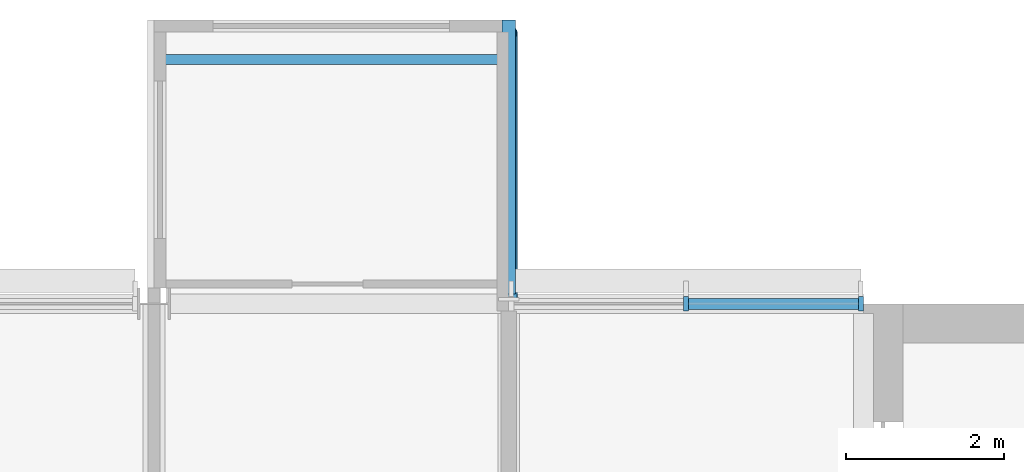
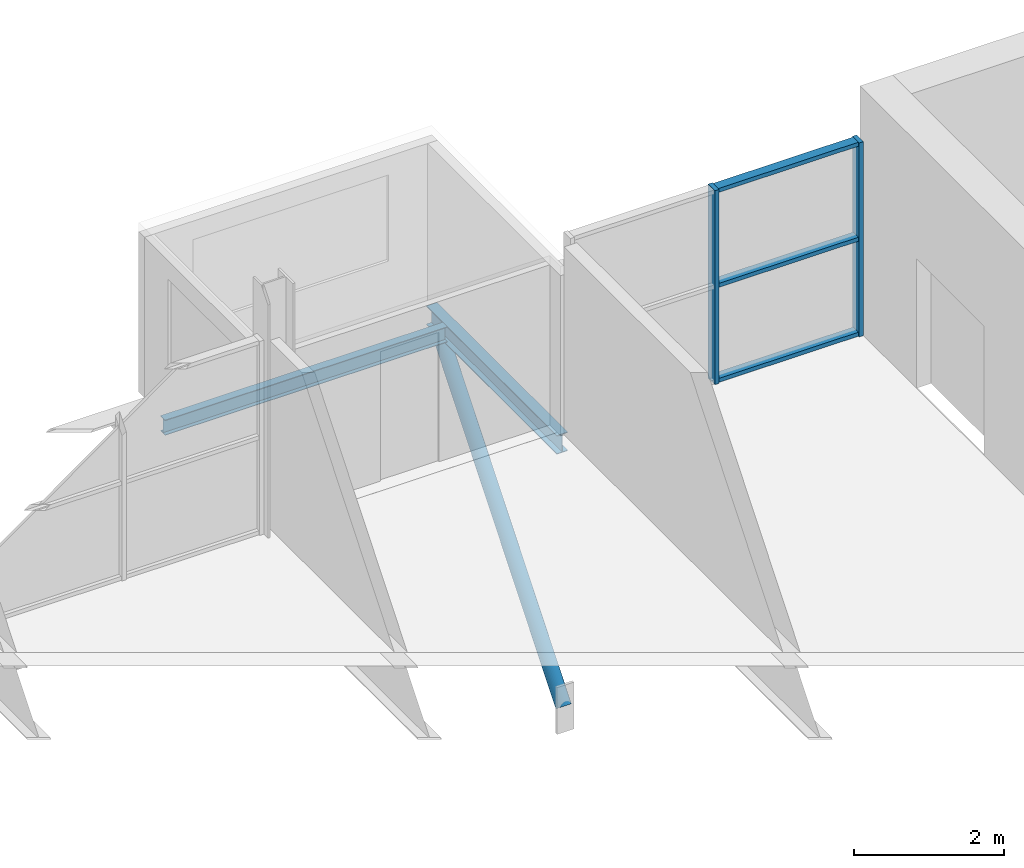
# One storey, part 3 of 12: 6 members, 2 beams, 1 element without a shape of its own.
"""IFC4 building model written with IfcOpenShell, lengths in metres."""

from ifc_helpers import new_model, si_unit, direction, frame, origin, origin_2d, place, context, subcontext, project, spatial, rectangle, hollow_circle, i_section, extrude, material, layer, layer_set, material_profile, profile_set, type_object, element, aggregate, save


model = new_model("IFC4")

# Units and contexts
model_context = context("Model", 3, precision=1e-05, world=origin(), true_north=direction((0.0, 1.0)))
body_context = subcontext(model_context, "Body", "Model", "MODEL_VIEW")
ifc_project = project(units=[si_unit("LENGTHUNIT", "METRE"), si_unit("AREAUNIT", "SQUARE_METRE"), si_unit("VOLUMEUNIT", "CUBIC_METRE"), si_unit("PLANEANGLEUNIT", "RADIAN"), si_unit("MASSUNIT", "GRAM", prefix="KILO")], contexts=[model_context])

# Site, building, storey
site_placement = place(None, origin())
site = spatial("IfcSite", under=ifc_project, at=site_placement, CompositionType="ELEMENT")
building_placement = place(site_placement, origin())
building = spatial("IfcBuilding", under=site, at=building_placement, Name="Corbel Yard City Hall", CompositionType="ELEMENT")
storey_placement = place(building_placement, frame((0.0, 0.0, 31.199951171875)))
storey = spatial("IfcBuildingStorey", under=building, at=storey_placement, Name="L07", CompositionType="ELEMENT", Elevation=31.199951171875)

# Curtain wall, members
ifc_material_1 = material(Name="Aluminium extrusion", Category="aluminium")
ifc_layer = layer(ifc_material_1, 0.179931640625)
ifc_layer_set = layer_set([ifc_layer], Name="Aluminium extrusion")
curtain_wall_type = type_object("IfcCurtainWallType", Name="CW6", PredefinedType="USERDEFINED", material=ifc_layer_set)
curtain_wall_placement = place(storey_placement, origin())
curtain_wall = element("IfcCurtainWall", 1, at=curtain_wall_placement, inside=storey, type_object=curtain_wall_type, Name="Curtain wall CW6 L07", ObjectType="CURTAIN WALL", PredefinedType="USERDEFINED")
ifc_material_profile_1 = material_profile(ifc_material_1, rectangle(XDim=0.179931640625, YDim=0.06494140625, at=origin_2d()), Name="180x65")
ifc_profile_set_1 = profile_set([ifc_material_profile_1], Name="Aluminium extrusion")
member_type_1 = type_object("IfcMemberType", Name="ML6", PredefinedType="MULLION", material=ifc_profile_set_1)
member_1_placement = place(storey_placement, frame((42.75, 117.0, 0.0), z_axis=(0.0, 0.0, 1.0), x_axis=(0.0, 1.0, 0.0)))
member_1 = element("IfcMember", 2, at=member_1_placement, type_object=member_type_1, Name="CW6 mullion 2", PredefinedType="MULLION", context=body_context, shape_type="SweptSolid", body=[
    extrude(rectangle(XDim=0.179931640625, YDim=0.06494140625, at=origin_2d()), origin(), (0.0, 0.0, 1.0), 3.150146484375),
])
member_2_placement = place(storey_placement, frame((44.967529296875, 117.0, 0.0), z_axis=(0.0, 0.0, 1.0), x_axis=(0.0, 1.0, 0.0)))
member_2 = element("IfcMember", 3, at=member_2_placement, type_object=member_type_1, Name="CW6 mullion 3", PredefinedType="MULLION", context=body_context, shape_type="SweptSolid", body=[
    extrude(rectangle(XDim=0.179931640625, YDim=0.06494140625, at=origin_2d()), origin(), (0.0, 0.0, 1.0), 3.150146484375),
])

# Member
ifc_material_2 = material(Name="Steel Grade C350L0", Category="steel")
ifc_material_profile_2 = material_profile(ifc_material_2, hollow_circle(Radius=0.109619140625, WallThickness=0.00830078125, at=origin_2d()), Name="219.1x8.2CHS")
ifc_profile_set_2 = profile_set([ifc_material_profile_2], Name="Steel Grade C350L0")
member_type_2 = type_object("IfcMemberType", Name="Pod knee brace", PredefinedType="BRACE", material=ifc_profile_set_2)
member_3_placement = place(storey_placement, frame((40.5, 120.43994140625, -0.4169921875), z_axis=(0.0, -0.629208782084, -0.777236327348), x_axis=(1.0, 0.0, 0.0)))
element("IfcMember", 4, at=member_3_placement, inside=storey, type_object=member_type_2, Name="Pod knee brace", PredefinedType="BRACE", context=body_context, shape_type="SweptSolid", body=[
    extrude(hollow_circle(Radius=0.109619140625, WallThickness=0.00830078125, at=origin_2d()), origin(), (0.0, 0.0, 1.0), 5.323974609375),
])

# Beams
ifc_material_3 = material(Name="Steel Grade 300 (300 MPa yield)", Category="steel")
ifc_material_profile_3 = material_profile(ifc_material_3, i_section(OverallWidth=0.166015625, OverallDepth=0.306884765625, WebThickness=0.006591796875, FlangeThickness=0.01171875, at=origin_2d()), Name="310UB46.2")
ifc_profile_set_3 = profile_set([ifc_material_profile_3], Name="Steel Grade 300 (300 MPa yield)")
beam_type_1 = type_object("IfcBeamType", Name="Pod stub beam 310UB46.2", PredefinedType="BEAM", material=ifc_profile_set_3)
beam_1_placement = place(storey_placement, frame((40.5, 117.125, -0.303466796875), z_axis=(0.0, 1.0, 0.0), x_axis=(-1.0, 0.0, 0.0)))
element("IfcBeam", 5, at=beam_1_placement, inside=storey, type_object=beam_type_1, Name="Pod stub 310UB46.2 CB1 L07", PredefinedType="BEAM", context=body_context, shape_type="SweptSolid", body=[
    extrude(i_section(OverallWidth=0.166015625, OverallDepth=0.306884765625, WebThickness=0.006591796875, FlangeThickness=0.01171875, at=origin_2d()), origin(), (0.0, 0.0, 1.0), 3.47509765625),
])
ifc_material_profile_4 = material_profile(ifc_material_3, i_section(OverallWidth=0.1240234375, OverallDepth=0.248046875, WebThickness=0.0048828125, FlangeThickness=0.008056640625, at=origin_2d()), Name="250UB25.7")
ifc_profile_set_4 = profile_set([ifc_material_profile_4], Name="Steel Grade 300 (300 MPa yield)")
beam_type_2 = type_object("IfcBeamType", Name="Pod tip beam", PredefinedType="BEAM", material=ifc_profile_set_4)
beam_2_placement = place(storey_placement, frame((36.0830078125, 120.10009765625, -0.27392578125), z_axis=(1.0, 0.0, 0.0), x_axis=(0.0, 1.0, 0.0)))
element("IfcBeam", 6, at=beam_2_placement, inside=storey, type_object=beam_type_2, Name="Pod tip beam", PredefinedType="BEAM", context=body_context, shape_type="SweptSolid", body=[
    extrude(i_section(OverallWidth=0.1240234375, OverallDepth=0.248046875, WebThickness=0.0048828125, FlangeThickness=0.008056640625, at=origin_2d()), origin(), (0.0, 0.0, 1.0), 4.333984375),
])

# Member
ifc_material_profile_5 = material_profile(ifc_material_1, rectangle(XDim=0.139892578125, YDim=0.06494140625, at=origin_2d()), Name="140x65")
ifc_profile_set_5 = profile_set([ifc_material_profile_5], Name="Aluminium extrusion")
member_type_3 = type_object("IfcMemberType", Name="TR6", PredefinedType="USERDEFINED", material=ifc_profile_set_5)
member_4_placement = place(storey_placement, frame((42.782470703125, 117.0, 0.032470703125), z_axis=(1.0, 0.0, 0.0), x_axis=(0.0, 1.0, 0.0)))
member_4 = element("IfcMember", 7, at=member_4_placement, type_object=member_type_3, Name="CW6 transom 2.1", ObjectType="TRANSOM", PredefinedType="USERDEFINED", context=body_context, shape_type="SweptSolid", body=[
    extrude(rectangle(XDim=0.139892578125, YDim=0.06494140625, at=origin_2d()), origin(), (0.0, 0.0, 1.0), 2.152587890625),
])

member_5_placement = place(storey_placement, frame((42.782470703125, 117.0, 1.574951171875), z_axis=(1.0, 0.0, 0.0), x_axis=(0.0, 1.0, 0.0)))
member_5 = element("IfcMember", 8, at=member_5_placement, type_object=member_type_3, Name="CW6 transom 2.2", ObjectType="TRANSOM", PredefinedType="USERDEFINED", context=body_context, shape_type="SweptSolid", body=[
    extrude(rectangle(XDim=0.139892578125, YDim=0.06494140625, at=origin_2d()), origin(), (0.0, 0.0, 1.0), 2.152587890625),
])

member_6_placement = place(storey_placement, frame((42.782470703125, 117.0, 3.117431640625), z_axis=(1.0, 0.0, 0.0), x_axis=(0.0, 1.0, 0.0)))
member_6 = element("IfcMember", 9, at=member_6_placement, type_object=member_type_3, Name="CW6 transom 2.3", ObjectType="TRANSOM", PredefinedType="USERDEFINED", context=body_context, shape_type="SweptSolid", body=[
    extrude(rectangle(XDim=0.139892578125, YDim=0.06494140625, at=origin_2d()), origin(), (0.0, 0.0, 1.0), 2.152587890625),
])

aggregate(curtain_wall, [member_1, member_2, member_4, member_5, member_6])

save(model, "model.ifc")
